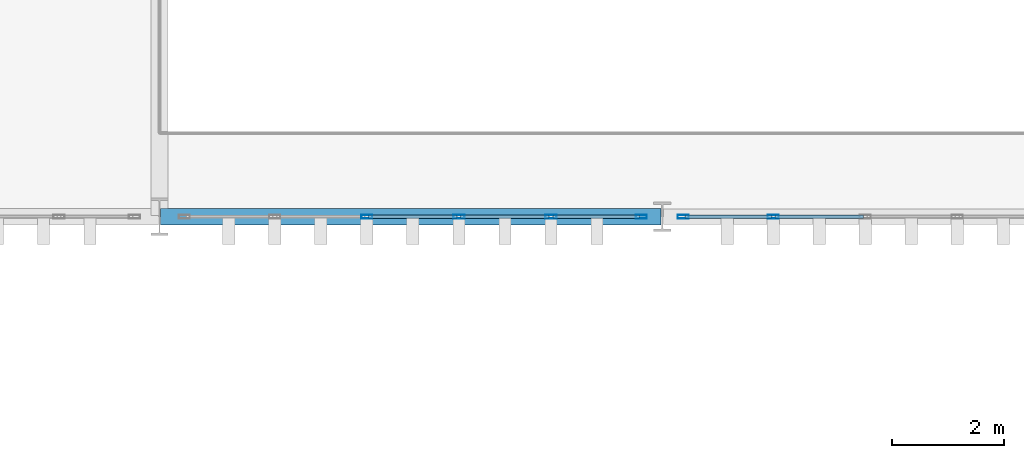
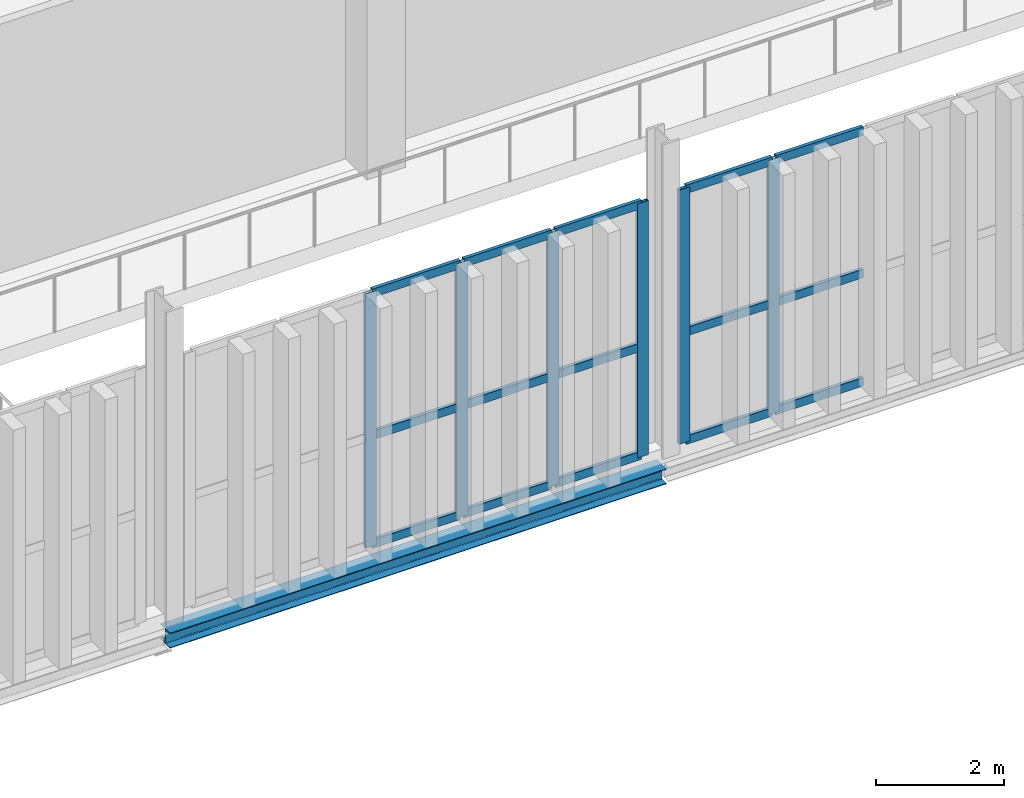
# One storey, part 80 of 237: 21 members, 1 beam, 2 elements without a shape of their own.
"""IFC4 building model written with IfcOpenShell, lengths in metres."""

from ifc_helpers import new_model, si_unit, direction, frame, origin, origin_2d, place, context, subcontext, project, spatial, hollow_rectangle, i_section, extrude, material, layer, layer_set, material_profile, profile_set, type_object, element, aggregate, save


model = new_model("IFC4")

# Units and contexts
model_context = context("Model", 3, precision=1e-05, world=origin(), true_north=direction((0.0, 1.0)))
body_context = subcontext(model_context, "Body", "Model", "MODEL_VIEW")
ifc_project = project(units=[si_unit("LENGTHUNIT", "METRE"), si_unit("AREAUNIT", "SQUARE_METRE"), si_unit("VOLUMEUNIT", "CUBIC_METRE"), si_unit("PLANEANGLEUNIT", "RADIAN"), si_unit("MASSUNIT", "GRAM", prefix="KILO")], contexts=[model_context])

# Site, building, storey
site_placement = place(None, origin())
site = spatial("IfcSite", under=ifc_project, at=site_placement, CompositionType="ELEMENT")
building_placement = place(site_placement, origin())
building = spatial("IfcBuilding", under=site, at=building_placement, Name="Barlavento Convention Centre", CompositionType="ELEMENT")
storey_placement = place(building_placement, frame((0.0, 0.0, 12.0)))
storey = spatial("IfcBuildingStorey", under=building, at=storey_placement, Name="L02", CompositionType="ELEMENT", Elevation=12.0)

# Curtain wall, members
ifc_material_1 = material(Name="Powder-coated aluminium and Low-E glass", Category="aluminium")
ifc_layer = layer(ifc_material_1, 0.195068359375)
ifc_layer_set = layer_set([ifc_layer], Name="ARC-CW-BALL-L02")
curtain_wall_type = type_object("IfcCurtainWallType", Name="ARC-CW-BALL-L02", PredefinedType="NOTDEFINED", material=ifc_layer_set)
curtain_wall_1_placement = place(storey_placement, origin())
curtain_wall_1 = element("IfcCurtainWall", 1, at=curtain_wall_1_placement, inside=storey, type_object=curtain_wall_type, Name="L02 unitised curtain wall CW07", PredefinedType="NOTDEFINED")
ifc_material_2 = material(Name="Powder-coated aluminium", Category="aluminium")
ifc_material_profile_1 = material_profile(ifc_material_2, hollow_rectangle(XDim=0.06494140625, YDim=0.199951171875, WallThickness=0.0048828125, at=origin_2d()), Name="AL-MULL 65x200x5")
ifc_profile_set_1 = profile_set([ifc_material_profile_1], Name="Powder-coated aluminium")
member_type_1 = type_object("IfcMemberType", Name="ARC-CWM-65X200", PredefinedType="MULLION", material=ifc_profile_set_1)
member_1_placement = place(storey_placement, frame((84.711669921875, 45.0, 0.0), z_axis=(0.0, 0.0, 1.0), x_axis=(0.0, 1.0, 0.0)))
member_1 = element("IfcMember", 2, at=member_1_placement, type_object=member_type_1, Name="CW07 mullion 3", PredefinedType="MULLION", context=body_context, shape_type="SweptSolid", body=[
    extrude(hollow_rectangle(XDim=0.06494140625, YDim=0.199951171875, WallThickness=0.0048828125, at=origin_2d()), origin(), (0.0, 0.0, 1.0), 4.85009765625),
])
member_2_placement = place(storey_placement, frame((86.3603515625, 45.0, 0.0), z_axis=(0.0, 0.0, 1.0), x_axis=(0.0, 1.0, 0.0)))
member_2 = element("IfcMember", 3, at=member_2_placement, type_object=member_type_1, Name="CW07 mullion 4", PredefinedType="MULLION", context=body_context, shape_type="SweptSolid", body=[
    extrude(hollow_rectangle(XDim=0.06494140625, YDim=0.199951171875, WallThickness=0.0048828125, at=origin_2d()), origin(), (0.0, 0.0, 1.0), 4.85009765625),
])
member_3_placement = place(storey_placement, frame((88.00927734375, 45.0, 0.0), z_axis=(0.0, 0.0, 1.0), x_axis=(0.0, 1.0, 0.0)))
member_3 = element("IfcMember", 4, at=member_3_placement, type_object=member_type_1, Name="CW07 mullion 5", PredefinedType="MULLION", context=body_context, shape_type="SweptSolid", body=[
    extrude(hollow_rectangle(XDim=0.06494140625, YDim=0.199951171875, WallThickness=0.0048828125, at=origin_2d()), origin(), (0.0, 0.0, 1.0), 4.85009765625),
])
member_4_placement = place(storey_placement, frame((89.62548828125, 45.0, 0.0), z_axis=(0.0, 0.0, 1.0), x_axis=(0.0, 1.0, 0.0)))
member_4 = element("IfcMember", 5, at=member_4_placement, type_object=member_type_1, Name="CW07 mullion 6", PredefinedType="MULLION", context=body_context, shape_type="SweptSolid", body=[
    extrude(hollow_rectangle(XDim=0.06494140625, YDim=0.199951171875, WallThickness=0.0048828125, at=origin_2d()), origin(), (0.0, 0.0, 1.0), 4.85009765625),
])

curtain_wall_2_placement = place(storey_placement, origin())
curtain_wall_2 = element("IfcCurtainWall", 6, at=curtain_wall_2_placement, inside=storey, type_object=curtain_wall_type, Name="L02 unitised curtain wall CW07", PredefinedType="NOTDEFINED")
member_5_placement = place(storey_placement, frame((90.37451171875, 45.0, 0.0), z_axis=(0.0, 0.0, 1.0), x_axis=(0.0, 1.0, 0.0)))
member_5 = element("IfcMember", 7, at=member_5_placement, type_object=member_type_1, Name="CW07 mullion 1", PredefinedType="MULLION", context=body_context, shape_type="SweptSolid", body=[
    extrude(hollow_rectangle(XDim=0.06494140625, YDim=0.199951171875, WallThickness=0.0048828125, at=origin_2d()), origin(), (0.0, 0.0, 1.0), 4.85009765625),
])
member_6_placement = place(storey_placement, frame((91.987548828125, 45.0, 0.0), z_axis=(0.0, 0.0, 1.0), x_axis=(0.0, 1.0, 0.0)))
member_6 = element("IfcMember", 8, at=member_6_placement, type_object=member_type_1, Name="CW07 mullion 2", PredefinedType="MULLION", context=body_context, shape_type="SweptSolid", body=[
    extrude(hollow_rectangle(XDim=0.06494140625, YDim=0.199951171875, WallThickness=0.0048828125, at=origin_2d()), origin(), (0.0, 0.0, 1.0), 4.85009765625),
])

# Member
ifc_material_profile_2 = material_profile(ifc_material_2, hollow_rectangle(XDim=0.06494140625, YDim=0.159912109375, WallThickness=0.0048828125, at=origin_2d()), Name="AL-TRAN 65x160x5")
ifc_profile_set_2 = profile_set([ifc_material_profile_2], Name="Powder-coated aluminium")
member_type_2 = type_object("IfcMemberType", Name="ARC-CWT-65X160", PredefinedType="USERDEFINED", material=ifc_profile_set_2)
member_7_placement = place(storey_placement, frame((84.744140625, 45.0, 0.032470703125), z_axis=(1.0, 0.0, 0.0), x_axis=(0.0, 1.0, 0.0)))
member_7 = element("IfcMember", 9, at=member_7_placement, type_object=member_type_2, Name="CW07 transom 3.1", ObjectType="TRANSOM", PredefinedType="USERDEFINED", context=body_context, shape_type="SweptSolid", body=[
    extrude(hollow_rectangle(XDim=0.06494140625, YDim=0.159912109375, WallThickness=0.0048828125, at=origin_2d()), origin(), (0.0, 0.0, 1.0), 1.583740234375),
])

member_8_placement = place(storey_placement, frame((84.744140625, 45.0, 2.10009765625), z_axis=(1.0, 0.0, 0.0), x_axis=(0.0, 1.0, 0.0)))
member_8 = element("IfcMember", 10, at=member_8_placement, type_object=member_type_2, Name="CW07 transom 3.2", ObjectType="TRANSOM", PredefinedType="USERDEFINED", context=body_context, shape_type="SweptSolid", body=[
    extrude(hollow_rectangle(XDim=0.06494140625, YDim=0.159912109375, WallThickness=0.0048828125, at=origin_2d()), origin(), (0.0, 0.0, 1.0), 1.583740234375),
])

member_9_placement = place(storey_placement, frame((84.744140625, 45.0, 4.8173828125), z_axis=(1.0, 0.0, 0.0), x_axis=(0.0, 1.0, 0.0)))
member_9 = element("IfcMember", 11, at=member_9_placement, type_object=member_type_2, Name="CW07 transom 3.3", ObjectType="TRANSOM", PredefinedType="USERDEFINED", context=body_context, shape_type="SweptSolid", body=[
    extrude(hollow_rectangle(XDim=0.06494140625, YDim=0.159912109375, WallThickness=0.0048828125, at=origin_2d()), origin(), (0.0, 0.0, 1.0), 1.583740234375),
])

member_10_placement = place(storey_placement, frame((86.392822265625, 45.0, 0.032470703125), z_axis=(1.0, 0.0, 0.0), x_axis=(0.0, 1.0, 0.0)))
member_10 = element("IfcMember", 12, at=member_10_placement, type_object=member_type_2, Name="CW07 transom 4.1", ObjectType="TRANSOM", PredefinedType="USERDEFINED", context=body_context, shape_type="SweptSolid", body=[
    extrude(hollow_rectangle(XDim=0.06494140625, YDim=0.159912109375, WallThickness=0.0048828125, at=origin_2d()), origin(), (0.0, 0.0, 1.0), 1.583984375),
])

member_11_placement = place(storey_placement, frame((86.392822265625, 45.0, 2.10009765625), z_axis=(1.0, 0.0, 0.0), x_axis=(0.0, 1.0, 0.0)))
member_11 = element("IfcMember", 13, at=member_11_placement, type_object=member_type_2, Name="CW07 transom 4.2", ObjectType="TRANSOM", PredefinedType="USERDEFINED", context=body_context, shape_type="SweptSolid", body=[
    extrude(hollow_rectangle(XDim=0.06494140625, YDim=0.159912109375, WallThickness=0.0048828125, at=origin_2d()), origin(), (0.0, 0.0, 1.0), 1.583984375),
])

member_12_placement = place(storey_placement, frame((86.392822265625, 45.0, 4.8173828125), z_axis=(1.0, 0.0, 0.0), x_axis=(0.0, 1.0, 0.0)))
member_12 = element("IfcMember", 14, at=member_12_placement, type_object=member_type_2, Name="CW07 transom 4.3", ObjectType="TRANSOM", PredefinedType="USERDEFINED", context=body_context, shape_type="SweptSolid", body=[
    extrude(hollow_rectangle(XDim=0.06494140625, YDim=0.159912109375, WallThickness=0.0048828125, at=origin_2d()), origin(), (0.0, 0.0, 1.0), 1.583984375),
])

member_13_placement = place(storey_placement, frame((88.041748046875, 45.0, 0.032470703125), z_axis=(1.0, 0.0, 0.0), x_axis=(0.0, 1.0, 0.0)))
member_13 = element("IfcMember", 15, at=member_13_placement, type_object=member_type_2, Name="CW07 transom 5.1", ObjectType="TRANSOM", PredefinedType="USERDEFINED", context=body_context, shape_type="SweptSolid", body=[
    extrude(hollow_rectangle(XDim=0.06494140625, YDim=0.159912109375, WallThickness=0.0048828125, at=origin_2d()), origin(), (0.0, 0.0, 1.0), 1.55126953125),
])

member_14_placement = place(storey_placement, frame((88.041748046875, 45.0, 2.10009765625), z_axis=(1.0, 0.0, 0.0), x_axis=(0.0, 1.0, 0.0)))
member_14 = element("IfcMember", 16, at=member_14_placement, type_object=member_type_2, Name="CW07 transom 5.2", ObjectType="TRANSOM", PredefinedType="USERDEFINED", context=body_context, shape_type="SweptSolid", body=[
    extrude(hollow_rectangle(XDim=0.06494140625, YDim=0.159912109375, WallThickness=0.0048828125, at=origin_2d()), origin(), (0.0, 0.0, 1.0), 1.55126953125),
])

member_15_placement = place(storey_placement, frame((88.041748046875, 45.0, 4.8173828125), z_axis=(1.0, 0.0, 0.0), x_axis=(0.0, 1.0, 0.0)))
member_15 = element("IfcMember", 17, at=member_15_placement, type_object=member_type_2, Name="CW07 transom 5.3", ObjectType="TRANSOM", PredefinedType="USERDEFINED", context=body_context, shape_type="SweptSolid", body=[
    extrude(hollow_rectangle(XDim=0.06494140625, YDim=0.159912109375, WallThickness=0.0048828125, at=origin_2d()), origin(), (0.0, 0.0, 1.0), 1.55126953125),
])

aggregate(curtain_wall_1, [member_1, member_2, member_3, member_4, member_7, member_8, member_9, member_10, member_11, member_12, member_13, member_14, member_15])

member_16_placement = place(storey_placement, frame((90.406982421875, 45.0, 0.032470703125), z_axis=(1.0, 0.0, 0.0), x_axis=(0.0, 1.0, 0.0)))
member_16 = element("IfcMember", 18, at=member_16_placement, type_object=member_type_2, Name="CW07 transom 1.1", ObjectType="TRANSOM", PredefinedType="USERDEFINED", context=body_context, shape_type="SweptSolid", body=[
    extrude(hollow_rectangle(XDim=0.06494140625, YDim=0.159912109375, WallThickness=0.0048828125, at=origin_2d()), origin(), (0.0, 0.0, 1.0), 1.548095703125),
])

member_17_placement = place(storey_placement, frame((90.406982421875, 45.0, 2.10009765625), z_axis=(1.0, 0.0, 0.0), x_axis=(0.0, 1.0, 0.0)))
member_17 = element("IfcMember", 19, at=member_17_placement, type_object=member_type_2, Name="CW07 transom 1.2", ObjectType="TRANSOM", PredefinedType="USERDEFINED", context=body_context, shape_type="SweptSolid", body=[
    extrude(hollow_rectangle(XDim=0.06494140625, YDim=0.159912109375, WallThickness=0.0048828125, at=origin_2d()), origin(), (0.0, 0.0, 1.0), 1.548095703125),
])

member_18_placement = place(storey_placement, frame((90.406982421875, 45.0, 4.8173828125), z_axis=(1.0, 0.0, 0.0), x_axis=(0.0, 1.0, 0.0)))
member_18 = element("IfcMember", 20, at=member_18_placement, type_object=member_type_2, Name="CW07 transom 1.3", ObjectType="TRANSOM", PredefinedType="USERDEFINED", context=body_context, shape_type="SweptSolid", body=[
    extrude(hollow_rectangle(XDim=0.06494140625, YDim=0.159912109375, WallThickness=0.0048828125, at=origin_2d()), origin(), (0.0, 0.0, 1.0), 1.548095703125),
])

member_19_placement = place(storey_placement, frame((92.02001953125, 45.0, 0.032470703125), z_axis=(1.0, 0.0, 0.0), x_axis=(0.0, 1.0, 0.0)))
member_19 = element("IfcMember", 21, at=member_19_placement, type_object=member_type_2, Name="CW07 transom 2.1", ObjectType="TRANSOM", PredefinedType="USERDEFINED", context=body_context, shape_type="SweptSolid", body=[
    extrude(hollow_rectangle(XDim=0.06494140625, YDim=0.159912109375, WallThickness=0.0048828125, at=origin_2d()), origin(), (0.0, 0.0, 1.0), 1.58056640625),
])

member_20_placement = place(storey_placement, frame((92.02001953125, 45.0, 2.10009765625), z_axis=(1.0, 0.0, 0.0), x_axis=(0.0, 1.0, 0.0)))
member_20 = element("IfcMember", 22, at=member_20_placement, type_object=member_type_2, Name="CW07 transom 2.2", ObjectType="TRANSOM", PredefinedType="USERDEFINED", context=body_context, shape_type="SweptSolid", body=[
    extrude(hollow_rectangle(XDim=0.06494140625, YDim=0.159912109375, WallThickness=0.0048828125, at=origin_2d()), origin(), (0.0, 0.0, 1.0), 1.58056640625),
])

member_21_placement = place(storey_placement, frame((92.02001953125, 45.0, 4.8173828125), z_axis=(1.0, 0.0, 0.0), x_axis=(0.0, 1.0, 0.0)))
member_21 = element("IfcMember", 23, at=member_21_placement, type_object=member_type_2, Name="CW07 transom 2.3", ObjectType="TRANSOM", PredefinedType="USERDEFINED", context=body_context, shape_type="SweptSolid", body=[
    extrude(hollow_rectangle(XDim=0.06494140625, YDim=0.159912109375, WallThickness=0.0048828125, at=origin_2d()), origin(), (0.0, 0.0, 1.0), 1.58056640625),
])

aggregate(curtain_wall_2, [member_5, member_6, member_16, member_17, member_18, member_19, member_20, member_21])

# Beam
ifc_material_3 = material(Name="Steel S355", Category="steel")
ifc_material_profile_3 = material_profile(ifc_material_3, i_section(OverallWidth=0.300048828125, OverallDepth=0.2900390625, WebThickness=0.008544921875, FlangeThickness=0.013916015625, FilletRadius=0.027099609375, at=origin_2d()), Name="HEA 300")
ifc_profile_set_3 = profile_set([ifc_material_profile_3], Name="Steel S355")
beam_type = type_object("IfcBeamType", Name="STR-BM-SPN-HEA300", PredefinedType="SPANDREL", material=ifc_profile_set_3)
beam_placement = place(storey_placement, frame((81.02001953125, 45.0, -0.43505859375), z_axis=(1.0, 0.0, 0.0), x_axis=(0.0, 1.0, 0.0)))
element("IfcBeam", 24, at=beam_placement, inside=storey, type_object=beam_type, Name="L02 primary girder SP02", PredefinedType="SPANDREL", context=body_context, shape_type="SweptSolid", body=[
    extrude(i_section(OverallWidth=0.300048828125, OverallDepth=0.2900390625, WebThickness=0.008544921875, FlangeThickness=0.013916015625, FilletRadius=0.027099609375, at=origin_2d()), origin(), (0.0, 0.0, 1.0), 8.9599609375),
])

save(model, "model.ifc")
